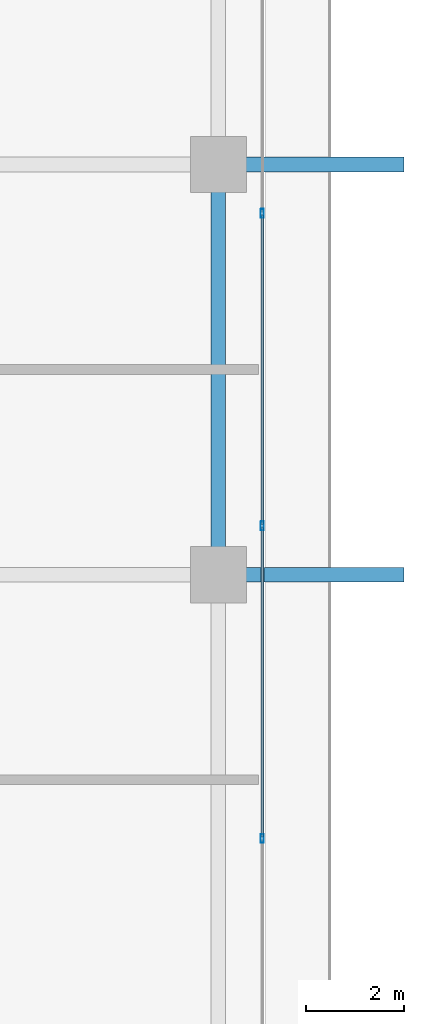
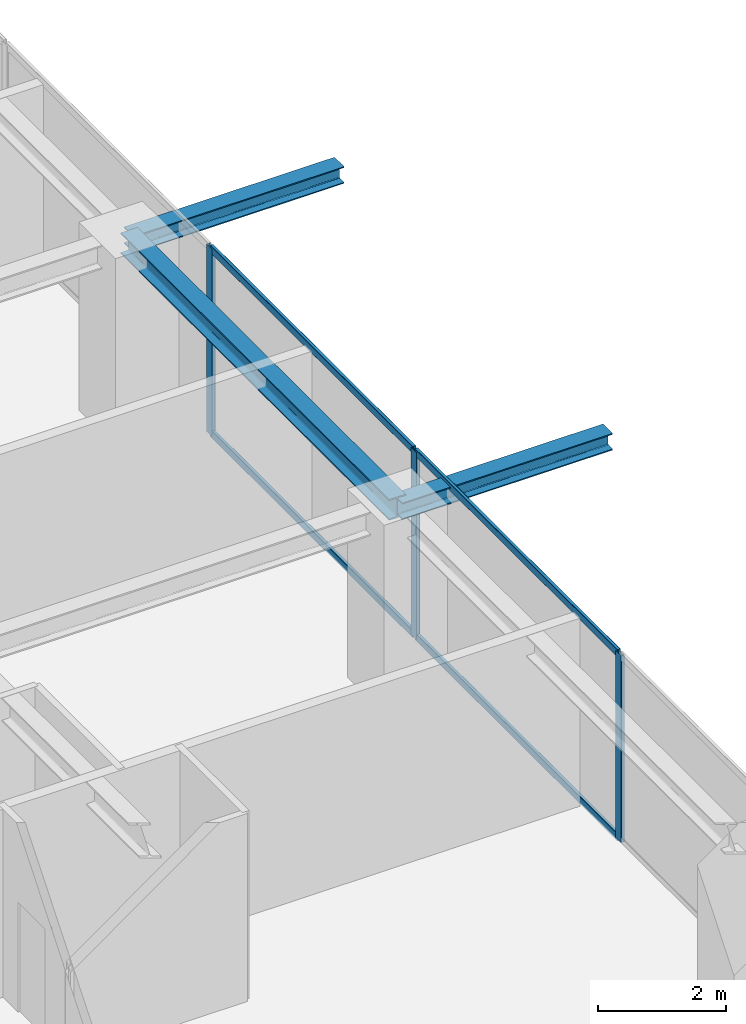
# One storey, part 15 of 38: 7 members, 3 beams, 1 element without a shape of its own.
"""IFC4 building model written with IfcOpenShell, lengths in metres."""

from ifc_helpers import new_model, si_unit, direction, frame, origin, origin_2d, place, context, subcontext, project, spatial, hollow_rectangle, i_section, extrude, source, transform, mapped, material, layer, layer_set, material_profile, profile_set, type_object, element, aggregate, save


model = new_model("IFC4")

# Units and contexts
model_context = context("Model", 3, precision=1e-05, world=origin(), true_north=direction((0.0, 1.0)))
body_context = subcontext(model_context, "Body", "Model", "MODEL_VIEW")
ifc_project = project(units=[si_unit("LENGTHUNIT", "METRE"), si_unit("AREAUNIT", "SQUARE_METRE"), si_unit("VOLUMEUNIT", "CUBIC_METRE"), si_unit("PLANEANGLEUNIT", "RADIAN"), si_unit("MASSUNIT", "GRAM", prefix="KILO")], contexts=[model_context])

# Site, building, storey
site_placement = place(None, origin())
site = spatial("IfcSite", under=ifc_project, at=site_placement, CompositionType="ELEMENT")
building_placement = place(site_placement, origin())
building = spatial("IfcBuilding", under=site, at=building_placement, Name="Serunith Strait Residences", CompositionType="ELEMENT")
storey_placement = place(building_placement, frame((0.0, 0.0, 241.25)))
storey = spatial("IfcBuildingStorey", under=building, at=storey_placement, Name="L60", CompositionType="ELEMENT", Elevation=241.25)

# Beams
ifc_material_1 = material(Name="Steel S355J2", Category="steel")
ifc_material_profile_1 = material_profile(ifc_material_1, i_section(OverallWidth=0.300048828125, OverallDepth=0.39990234375, WebThickness=0.013427734375, FlangeThickness=0.02392578125, FilletRadius=0.027099609375, at=origin_2d()), Name="HEB 400")
ifc_profile_set_1 = profile_set([ifc_material_profile_1], Name="Steel S355J2")
beam_type_1 = type_object("IfcBeamType", Name="BM-HEB400", PredefinedType="BEAM", material=ifc_profile_set_1)
shared_shape_1 = source(origin(), body_context, "Body", "SweptSolid", [
    extrude(i_section(OverallWidth=0.300048828125, OverallDepth=0.39990234375, WebThickness=0.013427734375, FlangeThickness=0.02392578125, FilletRadius=0.027099609375, at=origin_2d()), origin(), (0.0, 0.0, 1.0), 8.39990234375),
])
beam_placement = place(storey_placement, frame((56.5, 21.0, 3.386962890625), z_axis=(0.0, 1.0, 0.0), x_axis=(-1.0, 0.0, 0.0)))
element("IfcBeam", 1, at=beam_placement, inside=storey, type_object=beam_type_1, Name="L60 Perimeter Ring Beam 06", PredefinedType="BEAM", context=body_context, shape_type="MappedRepresentation", body=[
    mapped(shared_shape_1, transform((0.0, 0.0, 0.0), scale=1.0)),
])
ifc_material_profile_2 = material_profile(ifc_material_1, i_section(OverallWidth=0.300048828125, OverallDepth=0.320068359375, WebThickness=0.011474609375, FlangeThickness=0.0205078125, FilletRadius=0.027099609375, at=origin_2d()), Name="HEB 320")
ifc_profile_set_2 = profile_set([ifc_material_profile_2], Name="Steel S355J2")
beam_type_2 = type_object("IfcBeamType", Name="BM-HEB320", PredefinedType="BEAM", material=ifc_profile_set_2)
shared_shape_2 = source(origin(), body_context, "Body", "SweptSolid", [
    extrude(i_section(OverallWidth=0.300048828125, OverallDepth=0.320068359375, WebThickness=0.011474609375, FlangeThickness=0.0205078125, FilletRadius=0.027099609375, at=origin_2d()), origin(), (0.0, 0.0, 1.0), 3.800048828125),
])
for number, where, z_axis, x_axis, name in (
    (2, (56.5, 21.0, 3.39697265625), (1.0, 0.0, 0.0), (0.0, 1.0, 0.0), "L61 Cantilevered Balcony Rib TC-E2"),
    (3, (56.5, 29.39990234375, 3.39697265625), (1.0, 0.0, 0.0), (0.0, 1.0, 0.0), "L61 Cantilevered Balcony Rib TC-E3"),
):
    element("IfcBeam", number, at=place(storey_placement, frame(where, z_axis=z_axis, x_axis=x_axis)), inside=storey, type_object=beam_type_2, Name=name, PredefinedType="BEAM", context=body_context, shape_type="MappedRepresentation", body=[
        mapped(shared_shape_2, transform((0.0, 0.0, 0.0), scale=1.0)),
    ])

# Curtain wall, members
ifc_material_2 = material(Name="Pale-Champagne Anodised Aluminium", Category="aluminium")
ifc_layer = layer(ifc_material_2, 0.199951171875, Name="Pale-Champagne Anodised Aluminium")
ifc_layer_set = layer_set([ifc_layer], Name="Pale-Champagne Anodised Aluminium")
curtain_wall_type = type_object("IfcCurtainWallType", Name="CW-SYS4", PredefinedType="NOTDEFINED", material=ifc_layer_set)
curtain_wall_placement = place(storey_placement, origin())
curtain_wall = element("IfcCurtainWall", 4, at=curtain_wall_placement, inside=storey, type_object=curtain_wall_type, Name="L60 E Unitised Fritted Curtain Wall", PredefinedType="NOTDEFINED")
ifc_material_profile_3 = material_profile(ifc_material_2, hollow_rectangle(XDim=0.06494140625, YDim=0.179931640625, WallThickness=0.00341796875, InnerFilletRadius=0.00537109375, OuterFilletRadius=0.0087890625, at=origin_2d()), Name="ALU 180x65x3.5")
ifc_profile_set_3 = profile_set([ifc_material_profile_3], Name="Pale-Champagne Anodised Aluminium")
member_type_1 = type_object("IfcMemberType", Name="CW-SYS4-MULL", PredefinedType="MULLION", material=ifc_profile_set_3)
shared_shape_3 = source(origin(), body_context, "Body", "SweptSolid", [
    extrude(hollow_rectangle(XDim=0.06494140625, YDim=0.179931640625, WallThickness=0.00341796875, InnerFilletRadius=0.00537109375, OuterFilletRadius=0.0087890625, at=origin_2d()), origin(), (0.0, 0.0, 1.0), 3.574951171875),
])
member_1_placement = place(storey_placement, frame((57.39990234375, 15.60009765625, 0.0), z_axis=(0.0, 0.0, 1.0), x_axis=(-1.0, 0.0, 0.0)))
member_1 = element("IfcMember", 5, at=member_1_placement, type_object=member_type_1, Name="CW-4 mullion 2", PredefinedType="MULLION", context=body_context, shape_type="MappedRepresentation", body=[
    mapped(shared_shape_3, transform((0.0, 0.0, 0.0), scale=1.0)),
])
member_2_placement = place(storey_placement, frame((57.39990234375, 22.0, 0.0), z_axis=(0.0, 0.0, 1.0), x_axis=(-1.0, 0.0, 0.0)))
member_2 = element("IfcMember", 6, at=member_2_placement, type_object=member_type_1, Name="CW-4 mullion 3", PredefinedType="MULLION", context=body_context, shape_type="MappedRepresentation", body=[
    mapped(shared_shape_3, transform((0.0, 0.0, 0.0), scale=1.0)),
])
member_3_placement = place(storey_placement, frame((57.39990234375, 28.39990234375, 0.0), z_axis=(0.0, 0.0, 1.0), x_axis=(-1.0, 0.0, 0.0)))
member_3 = element("IfcMember", 7, at=member_3_placement, type_object=member_type_1, Name="CW-4 mullion 4", PredefinedType="MULLION", context=body_context, shape_type="MappedRepresentation", body=[
    mapped(shared_shape_3, transform((0.0, 0.0, 0.0), scale=1.0)),
])
ifc_material_profile_4 = material_profile(ifc_material_2, hollow_rectangle(XDim=0.06005859375, YDim=0.139892578125, WallThickness=0.00341796875, InnerFilletRadius=0.00537109375, OuterFilletRadius=0.0087890625, at=origin_2d()), Name="ALU 140x60x3.5")
ifc_profile_set_4 = profile_set([ifc_material_profile_4], Name="Pale-Champagne Anodised Aluminium")
member_type_2 = type_object("IfcMemberType", Name="CW-SYS4-TRAN", PredefinedType="USERDEFINED", material=ifc_profile_set_4)
shared_shape_4 = source(origin(), body_context, "Body", "SweptSolid", [
    extrude(hollow_rectangle(XDim=0.06005859375, YDim=0.139892578125, WallThickness=0.00341796875, InnerFilletRadius=0.00537109375, OuterFilletRadius=0.0087890625, at=origin_2d()), origin(), (0.0, 0.0, 1.0), 6.3349609375),
])
member_4_placement = place(storey_placement, frame((57.39990234375, 15.632568359375, 0.030029296875), z_axis=(0.0, 1.0, 0.0), x_axis=(-1.0, 0.0, 0.0)))
member_4 = element("IfcMember", 8, at=member_4_placement, type_object=member_type_2, Name="CW-4 transom 2.1", ObjectType="TRANSOM", PredefinedType="USERDEFINED", context=body_context, shape_type="MappedRepresentation", body=[
    mapped(shared_shape_4, transform((0.0, 0.0, 0.0), scale=1.0)),
])
member_5_placement = place(storey_placement, frame((57.39990234375, 15.632568359375, 3.544921875), z_axis=(0.0, 1.0, 0.0), x_axis=(-1.0, 0.0, 0.0)))
member_5 = element("IfcMember", 9, at=member_5_placement, type_object=member_type_2, Name="CW-4 transom 2.2", ObjectType="TRANSOM", PredefinedType="USERDEFINED", context=body_context, shape_type="MappedRepresentation", body=[
    mapped(shared_shape_4, transform((0.0, 0.0, 0.0), scale=1.0)),
])
member_6_placement = place(storey_placement, frame((57.39990234375, 22.032470703125, 0.030029296875), z_axis=(0.0, 1.0, 0.0), x_axis=(-1.0, 0.0, 0.0)))
member_6 = element("IfcMember", 10, at=member_6_placement, type_object=member_type_2, Name="CW-4 transom 3.1", ObjectType="TRANSOM", PredefinedType="USERDEFINED", context=body_context, shape_type="MappedRepresentation", body=[
    mapped(shared_shape_4, transform((0.0, 0.0, 0.0), scale=1.0)),
])
member_7_placement = place(storey_placement, frame((57.39990234375, 22.032470703125, 3.544921875), z_axis=(0.0, 1.0, 0.0), x_axis=(-1.0, 0.0, 0.0)))
member_7 = element("IfcMember", 11, at=member_7_placement, type_object=member_type_2, Name="CW-4 transom 3.2", ObjectType="TRANSOM", PredefinedType="USERDEFINED", context=body_context, shape_type="MappedRepresentation", body=[
    mapped(shared_shape_4, transform((0.0, 0.0, 0.0), scale=1.0)),
])
aggregate(curtain_wall, [member_1, member_2, member_3, member_4, member_5, member_6, member_7])

save(model, "model.ifc")
